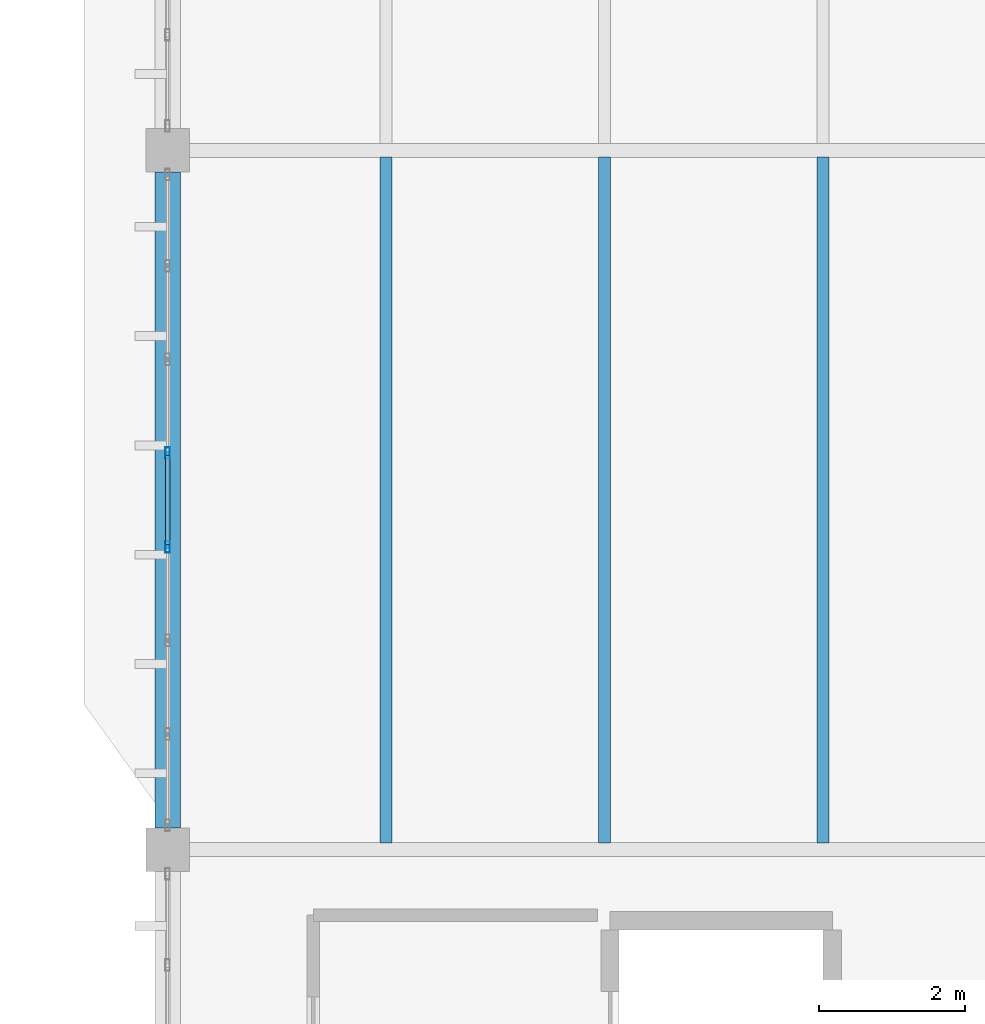
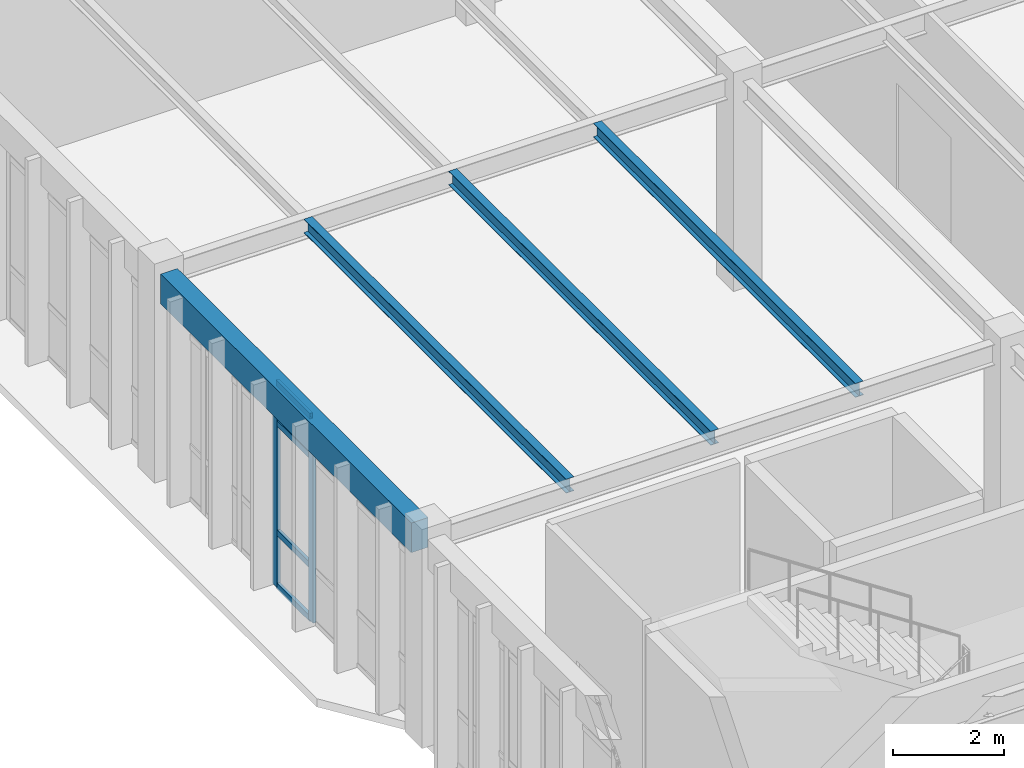
# One storey, part 147 of 236: 6 members, 4 beams, 1 element without a shape of its own.
"""IFC4 building model written with IfcOpenShell, lengths in metres."""

from ifc_helpers import new_model, si_unit, direction, frame, origin, origin_2d, place, context, subcontext, project, spatial, rectangle, hollow_rectangle, i_section, extrude, material, layer, layer_set, material_profile, profile_set, type_object, element, aggregate, save


model = new_model("IFC4")

# Units and contexts
model_context = context("Model", 3, precision=1e-05, world=origin(), true_north=direction((0.0, 1.0)))
body_context = subcontext(model_context, "Body", "Model", "MODEL_VIEW")
ifc_project = project(units=[si_unit("LENGTHUNIT", "METRE"), si_unit("AREAUNIT", "SQUARE_METRE"), si_unit("VOLUMEUNIT", "CUBIC_METRE"), si_unit("PLANEANGLEUNIT", "RADIAN"), si_unit("MASSUNIT", "GRAM", prefix="KILO")], contexts=[model_context])

# Site, building, storey
site_placement = place(None, origin())
site = spatial("IfcSite", under=ifc_project, at=site_placement, CompositionType="ELEMENT")
building_placement = place(site_placement, origin())
building = spatial("IfcBuilding", under=site, at=building_placement, Name="Pandanus Reach Market Hall", CompositionType="ELEMENT")
storey_placement = place(building_placement, frame((0.0, 0.0, 5.39990234375)))
storey = spatial("IfcBuildingStorey", under=building, at=storey_placement, Name="L01", CompositionType="ELEMENT", Elevation=5.39990234375)

# Beam
ifc_material_1 = material(Name="Concrete N40 (40 MPa)", Category="concrete")
ifc_material_profile_1 = material_profile(ifc_material_1, rectangle(XDim=0.35009765625, YDim=0.64990234375, at=origin_2d()), Name="RC350x650", Category="LoadBearing")
ifc_profile_set_1 = profile_set([ifc_material_profile_1], Name="Concrete N40 (40 MPa)")
beam_type_1 = type_object("IfcBeamType", Name="BM-RC350-E", PredefinedType="SPANDREL", material=ifc_profile_set_1)
beam_placement = place(storey_placement, frame((144.0, 57.89794921875, 4.215087890625), z_axis=(0.0, 1.0, 0.0), x_axis=(-1.0, 0.0, 0.0)))
element("IfcBeam", 1, at=beam_placement, inside=storey, type_object=beam_type_1, Name="Framing beam BM-RC350-E L01.341", PredefinedType="SPANDREL", context=body_context, shape_type="SweptSolid", body=[
    extrude(rectangle(XDim=0.35009765625, YDim=0.64990234375, at=origin_2d()), origin(), (0.0, 0.0, 1.0), 9.004150390625),
])

# Curtain wall, members
ifc_material_2 = material(Name="Bronze anodised aluminium and low-E glass", Category="aluminium")
ifc_layer = layer(ifc_material_2, 0.159912109375, Name="CW-29")
ifc_layer_set = layer_set([ifc_layer], Name="Bronze anodised aluminium and low-E glass")
curtain_wall_type = type_object("IfcCurtainWallType", Name="CW-29", PredefinedType="NOTDEFINED", material=ifc_layer_set)
curtain_wall_placement = place(storey_placement, origin())
curtain_wall = element("IfcCurtainWall", 2, at=curtain_wall_placement, inside=storey, type_object=curtain_wall_type, Name="Glazed curtain wall CW-29 CW-0096", PredefinedType="NOTDEFINED")
ifc_material_3 = material(Name="Bronze anodised aluminium", Category="aluminium")
ifc_material_profile_2 = material_profile(ifc_material_3, hollow_rectangle(XDim=0.06494140625, YDim=0.159912109375, WallThickness=0.00390625, at=origin_2d()), Name="ALU65x160", Category="LoadBearing")
ifc_profile_set_2 = profile_set([ifc_material_profile_2], Name="Bronze anodised aluminium")
member_type_1 = type_object("IfcMemberType", Name="CW-M1", PredefinedType="MULLION", material=ifc_profile_set_2)
member_1_placement = place(storey_placement, frame((144.0, 61.757080078125, 0.0), z_axis=(0.0, 0.0, 1.0), x_axis=(-1.0, 0.0, 0.0)))
member_1 = element("IfcMember", 3, at=member_1_placement, type_object=member_type_1, Name="CW-29 mullion 4", PredefinedType="MULLION", context=body_context, shape_type="SweptSolid", body=[
    extrude(hollow_rectangle(XDim=0.06494140625, YDim=0.159912109375, WallThickness=0.00390625, at=origin_2d()), origin(), (0.0, 0.0, 1.0), 4.5),
])
member_2_placement = place(storey_placement, frame((144.0, 63.04296875, 0.0), z_axis=(0.0, 0.0, 1.0), x_axis=(-1.0, 0.0, 0.0)))
member_2 = element("IfcMember", 4, at=member_2_placement, type_object=member_type_1, Name="CW-29 mullion 5", PredefinedType="MULLION", context=body_context, shape_type="SweptSolid", body=[
    extrude(hollow_rectangle(XDim=0.06494140625, YDim=0.159912109375, WallThickness=0.00390625, at=origin_2d()), origin(), (0.0, 0.0, 1.0), 4.5),
])
ifc_material_profile_3 = material_profile(ifc_material_3, hollow_rectangle(XDim=0.06494140625, YDim=0.1298828125, WallThickness=0.00390625, at=origin_2d()), Name="ALU65x130", Category="LoadBearing")
ifc_profile_set_3 = profile_set([ifc_material_profile_3], Name="Bronze anodised aluminium")
member_type_2 = type_object("IfcMemberType", Name="CW-T1", PredefinedType="USERDEFINED", material=ifc_profile_set_3)
member_3_placement = place(storey_placement, frame((144.0, 61.78955078125, 0.03271484375), z_axis=(0.0, 1.0, 0.0), x_axis=(-1.0, 0.0, 0.0)))
member_3 = element("IfcMember", 5, at=member_3_placement, type_object=member_type_2, Name="CW-29 transom 4.1", ObjectType="TRANSOM", PredefinedType="USERDEFINED", context=body_context, shape_type="SweptSolid", body=[
    extrude(hollow_rectangle(XDim=0.06494140625, YDim=0.1298828125, WallThickness=0.00390625, at=origin_2d()), origin(), (0.0, 0.0, 1.0), 1.220703125),
])
member_4_placement = place(storey_placement, frame((144.0, 61.78955078125, 1.2001953125), z_axis=(0.0, 1.0, 0.0), x_axis=(-1.0, 0.0, 0.0)))
member_4 = element("IfcMember", 6, at=member_4_placement, type_object=member_type_2, Name="CW-29 transom 4.2", ObjectType="TRANSOM", PredefinedType="USERDEFINED", context=body_context, shape_type="SweptSolid", body=[
    extrude(hollow_rectangle(XDim=0.06494140625, YDim=0.1298828125, WallThickness=0.00390625, at=origin_2d()), origin(), (0.0, 0.0, 1.0), 1.220703125),
])
member_5_placement = place(storey_placement, frame((144.0, 61.78955078125, 3.60009765625), z_axis=(0.0, 1.0, 0.0), x_axis=(-1.0, 0.0, 0.0)))
member_5 = element("IfcMember", 7, at=member_5_placement, type_object=member_type_2, Name="CW-29 transom 4.3", ObjectType="TRANSOM", PredefinedType="USERDEFINED", context=body_context, shape_type="SweptSolid", body=[
    extrude(hollow_rectangle(XDim=0.06494140625, YDim=0.1298828125, WallThickness=0.00390625, at=origin_2d()), origin(), (0.0, 0.0, 1.0), 1.220703125),
])
member_6_placement = place(storey_placement, frame((144.0, 61.78955078125, 4.467529296875), z_axis=(0.0, 1.0, 0.0), x_axis=(-1.0, 0.0, 0.0)))
member_6 = element("IfcMember", 8, at=member_6_placement, type_object=member_type_2, Name="CW-29 transom 4.4", ObjectType="TRANSOM", PredefinedType="USERDEFINED", context=body_context, shape_type="SweptSolid", body=[
    extrude(hollow_rectangle(XDim=0.06494140625, YDim=0.1298828125, WallThickness=0.00390625, at=origin_2d()), origin(), (0.0, 0.0, 1.0), 1.220703125),
])
aggregate(curtain_wall, [member_1, member_2, member_3, member_4, member_5, member_6])

# Beams
ifc_material_4 = material(Name="Steel Grade 350 (350 MPa)", Category="steel")
ifc_material_profile_4 = material_profile(ifc_material_4, i_section(OverallWidth=0.166015625, OverallDepth=0.306884765625, WebThickness=0.006591796875, FlangeThickness=0.01171875, at=origin_2d()), Name="310UB46.2", Category="LoadBearing")
ifc_profile_set_4 = profile_set([ifc_material_profile_4], Name="Steel Grade 350 (350 MPa)")
beam_type_2 = type_object("IfcBeamType", Name="JS-UB310H-I", PredefinedType="JOIST", material=ifc_profile_set_4)
for number, where, z_axis, x_axis, name in (
    (9, (147.0, 57.693115234375, 4.38623046875), (0.0, 1.0, 0.0), (-1.0, 0.0, 0.0), "Secondary joist JS-UB310H-I L01.384"),
    (10, (150.0, 57.693115234375, 4.38623046875), (0.0, 1.0, 0.0), (-1.0, 0.0, 0.0), "Secondary joist JS-UB310H-I L01.385"),
    (11, (153.0, 57.693115234375, 4.38623046875), (0.0, 1.0, 0.0), (-1.0, 0.0, 0.0), "Secondary joist JS-UB310H-I L01.386"),
):
    element("IfcBeam", number, at=place(storey_placement, frame(where, z_axis=z_axis, x_axis=x_axis)), inside=storey, type_object=beam_type_2, Name=name, PredefinedType="JOIST", context=body_context, shape_type="SweptSolid", body=[
        extrude(i_section(OverallWidth=0.166015625, OverallDepth=0.306884765625, WebThickness=0.006591796875, FlangeThickness=0.01171875, at=origin_2d()), origin(), (0.0, 0.0, 1.0), 9.413818359375),
    ])

save(model, "model.ifc")
